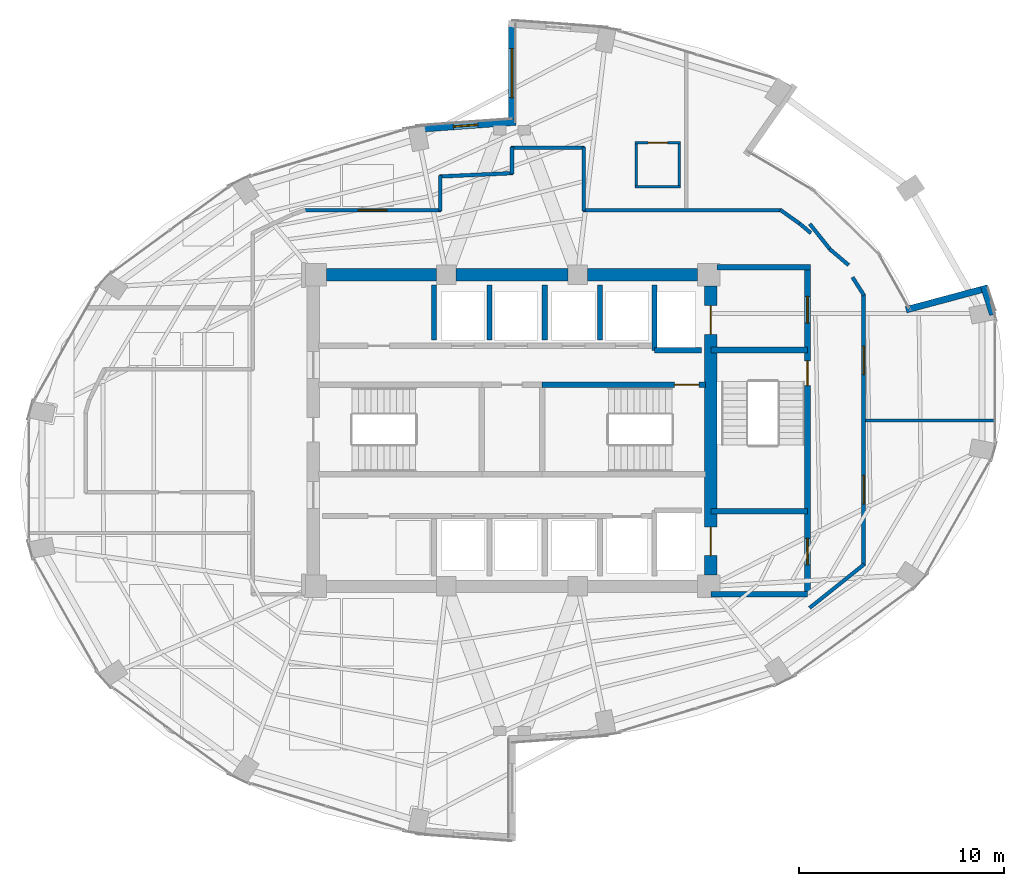
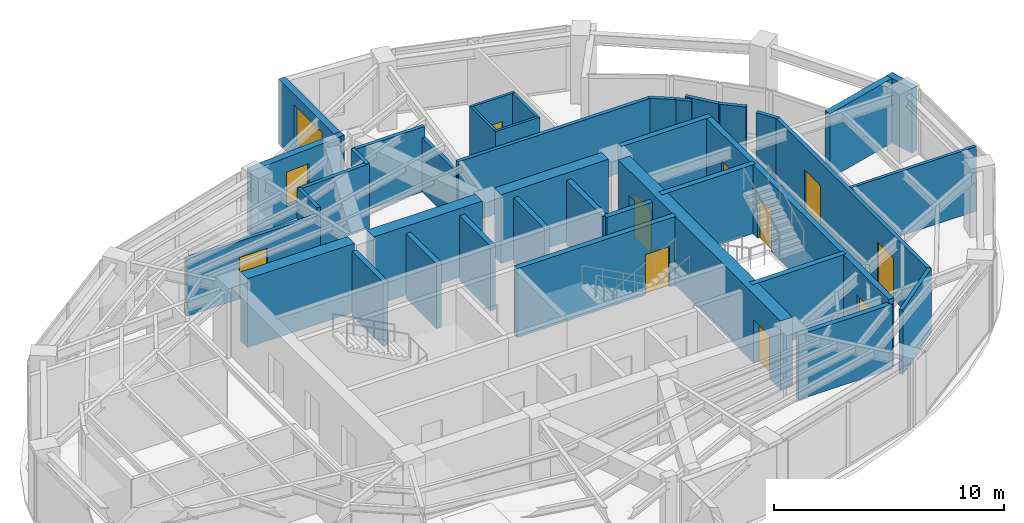
# One storey, part 16 of 19: 39 walls, 10 doors, 2 windows, 12 openings.
"""IFC4 building model written with IfcOpenShell, lengths in metres."""

from ifc_helpers import new_model, si_unit, direction, frame, frame_2d, origin, place, context, subcontext, project, spatial, rectangle, extrude, material, layer, layer_set, type_object, element, fill, save


model = new_model("IFC4")

# Units and contexts
model_context = context("Model", 3, precision=1e-05, world=origin(), true_north=direction((0.0, 1.0)))
body_context = subcontext(model_context, "Body", "Model", "MODEL_VIEW")
ifc_project = project(units=[si_unit("LENGTHUNIT", "METRE"), si_unit("AREAUNIT", "SQUARE_METRE"), si_unit("VOLUMEUNIT", "CUBIC_METRE"), si_unit("PLANEANGLEUNIT", "RADIAN"), si_unit("MASSUNIT", "GRAM", prefix="KILO")], contexts=[model_context])

# Site, building, storey
site_placement = place(None, origin())
site = spatial("IfcSite", under=ifc_project, at=site_placement, CompositionType="ELEMENT")
building_placement = place(site_placement, origin())
building = spatial("IfcBuilding", under=site, at=building_placement, Name="Lazwardi Medical Tower", CompositionType="ELEMENT")
storey_placement = place(building_placement, frame((0.0, 0.0, 167.471923828125)))
storey = spatial("IfcBuildingStorey", under=building, at=storey_placement, Name="L43", CompositionType="ELEMENT", Elevation=167.471923828125)

# Wall, opening, door
ifc_material_1 = material(Name="Fire-rated gypsum board on steel stud", Category="steel")
ifc_layer_1 = layer(ifc_material_1, 0.179931640625)
ifc_layer_set_1 = layer_set([ifc_layer_1], Name="Fire-rated gypsum board on steel stud")
wall_type_1 = type_object("IfcWallType", Name="WL-COR-180", PredefinedType="PARTITIONING", material=ifc_layer_set_1)
wall_1_placement = place(storey_placement, frame((25.842529296875, 38.75, 0.0), z_axis=(0.0, 0.0, 1.0), x_axis=(1.0, 0.0, 0.0)))
wall_1 = element("IfcWall", 1, at=wall_1_placement, inside=storey, type_object=wall_type_1, Name="L43 Corridor partition 6", PredefinedType="PARTITIONING", context=body_context, shape_type="SweptSolid", body=[
    extrude(rectangle(XDim=6.697509765625, YDim=0.179931640625, at=frame_2d((3.3486328125, 0.0))), origin(), (0.0, 0.0, 1.0), 3.052978515625),
])
opening_1_placement = place(wall_1_placement, frame((2.648681640625, 0.0, 0.0)))
opening_1 = element("IfcOpeningElement", 2, at=opening_1_placement, cuts=wall_1, Name="Opening D-L43-011", PredefinedType="OPENING", context=body_context, shape_type="SweptSolid", body=[
    extrude(rectangle(XDim=1.39990234375, YDim=2.199951171875, at=frame_2d((0.699951171875, 1.10009765625))), frame((0.0, 0.099853515625, 0.0), z_axis=(0.0, -1.0, 0.0), x_axis=(1.0, 0.0, 0.0)), (0.0, 0.0, 1.0), 0.199951171875),
])
ifc_material_2 = material(Name="Anti-microbial laminate hospital leaf")
door_type_1 = type_object("IfcDoorType", Name="DR-BED-1400", OperationType="NOTDEFINED", PredefinedType="DOOR", material=ifc_material_2)
door_1_placement = place(opening_1_placement, origin())
door_1 = element("IfcDoor", 3, at=door_1_placement, inside=storey, type_object=door_type_1, Name="L43 Inpatient Ward Door 03", OperationType="SINGLE_SWING_RIGHT", OverallHeight=2.199951171875, OverallWidth=1.39990234375, PredefinedType="DOOR", context=body_context, shape_type="SweptSolid", body=[
    extrude(rectangle(XDim=1.39990234375, YDim=2.199951171875, at=frame_2d((0.699951171875, 1.10009765625))), frame((0.0, 0.02490234375, 0.0), z_axis=(0.0, -1.0, 0.0), x_axis=(1.0, 0.0, 0.0)), (0.0, 0.0, 1.0), 0.050048828125),
])
fill(opening_1, door_1)

# Walls
wall_2_placement = place(storey_placement, frame((32.5, 38.7099609375, 0.0), z_axis=(0.0, 0.0, 1.0), x_axis=(0.0, 1.0, 0.0)))
element("IfcWall", 4, at=wall_2_placement, inside=storey, type_object=wall_type_1, Name="L43 Corridor partition 7", PredefinedType="PARTITIONING", context=body_context, shape_type="SweptSolid", body=[
    extrude(rectangle(XDim=1.729248046875, YDim=0.179931640625, at=frame_2d((0.86474609375, 0.0))), origin(), (0.0, 0.0, 1.0), 3.427978515625),
])
wall_3_placement = place(storey_placement, frame((32.4599609375, 40.3974609375, 0.0), z_axis=(0.0, 0.0, 1.0), x_axis=(0.998948498694, 0.045846449783, 0.0)))
element("IfcWall", 5, at=wall_3_placement, inside=storey, type_object=wall_type_1, Name="L43 Corridor partition 8", PredefinedType="PARTITIONING", context=body_context, shape_type="SweptSolid", body=[
    extrude(rectangle(XDim=3.583740234375, YDim=0.179931640625, at=frame_2d((1.7919921875, 0.0))), origin(), (0.0, 0.0, 1.0), 3.427978515625),
])
wall_4_placement = place(storey_placement, frame((36.0, 40.52001953125, 0.0), z_axis=(0.0, 0.0, 1.0), x_axis=(0.0, 1.0, 0.0)))
element("IfcWall", 6, at=wall_4_placement, inside=storey, type_object=wall_type_1, Name="L43 Corridor partition 9", PredefinedType="PARTITIONING", context=body_context, shape_type="SweptSolid", body=[
    extrude(rectangle(XDim=1.320068359375, YDim=0.179931640625, at=frame_2d((0.66015625, 0.0))), origin(), (0.0, 0.0, 1.0), 3.427978515625),
])
wall_5_placement = place(storey_placement, frame((35.9599609375, 41.800048828125, 0.0), z_axis=(0.0, 0.0, 1.0), x_axis=(1.0, 0.0, 0.0)))
element("IfcWall", 7, at=wall_5_placement, inside=storey, type_object=wall_type_1, Name="L43 Corridor partition 10", PredefinedType="PARTITIONING", context=body_context, shape_type="SweptSolid", body=[
    extrude(rectangle(XDim=3.580078125, YDim=0.179931640625, at=frame_2d((1.7900390625, 0.0))), origin(), (0.0, 0.0, 1.0), 3.427978515625),
])
wall_6_placement = place(storey_placement, frame((39.5, 41.840087890625, 0.0), z_axis=(0.0, 0.0, 1.0), x_axis=(0.0, -1.0, 0.0)))
element("IfcWall", 8, at=wall_6_placement, inside=storey, type_object=wall_type_1, Name="L43 Corridor partition 11", PredefinedType="PARTITIONING", context=body_context, shape_type="SweptSolid", body=[
    extrude(rectangle(XDim=3.130126953125, YDim=0.179931640625, at=frame_2d((1.56494140625, 0.0))), origin(), (0.0, 0.0, 1.0), 2.863037109375),
])
wall_7_placement = place(storey_placement, frame((39.4599609375, 38.75, 0.0), z_axis=(0.0, 0.0, 1.0), x_axis=(1.0, 0.0, 0.0)))
element("IfcWall", 9, at=wall_7_placement, inside=storey, type_object=wall_type_1, Name="L43 Corridor partition 12", PredefinedType="PARTITIONING", context=body_context, shape_type="SweptSolid", body=[
    extrude(rectangle(XDim=9.696044921875, YDim=0.179931640625, at=frame_2d((4.84814453125, 0.0))), origin(), (0.0, 0.0, 1.0), 3.427978515625),
])
wall_8_placement = place(storey_placement, frame((49.08349609375, 38.773193359375, 0.0), z_axis=(0.0, 0.0, 1.0), x_axis=(0.815094383649, -0.579328184835, 0.0)))
element("IfcWall", 10, at=wall_8_placement, inside=storey, type_object=wall_type_1, Name="L43 Corridor partition 13", PredefinedType="PARTITIONING", context=body_context, shape_type="SweptSolid", body=[
    extrude(rectangle(XDim=1.234375, YDim=0.179931640625, at=frame_2d((0.6171875, 0.0))), origin(), (0.0, 0.0, 1.0), 3.427978515625),
])
wall_9_placement = place(storey_placement, frame((50.0263671875, 38.107177734375, 0.0), z_axis=(0.0, 0.0, 1.0), x_axis=(0.762519178552, -0.646965611405, 0.0)))
element("IfcWall", 11, at=wall_9_placement, inside=storey, type_object=wall_type_1, Name="L43 Corridor partition 14", PredefinedType="PARTITIONING", context=body_context, shape_type="SweptSolid", body=[
    extrude(rectangle(XDim=0.726806640625, YDim=0.179931640625, at=frame_2d((0.36328125, 0.0))), origin(), (0.0, 0.0, 1.0), 3.427978515625),
])
wall_10_placement = place(storey_placement, frame((50.52490234375, 38.084716796875, 0.0), z_axis=(0.0, 0.0, 1.0), x_axis=(0.624367263629, -0.781130923794, 0.0)))
element("IfcWall", 12, at=wall_10_placement, inside=storey, type_object=wall_type_1, Name="L43 Corridor partition 15", PredefinedType="PARTITIONING", context=body_context, shape_type="SweptSolid", body=[
    extrude(rectangle(XDim=1.63525390625, YDim=0.179931640625, at=frame_2d((0.817626953125, 0.0))), origin(), (0.0, 0.0, 1.0), 3.427978515625),
])
wall_11_placement = place(storey_placement, frame((51.490478515625, 36.864501953125, 0.0), z_axis=(0.0, 0.0, 1.0), x_axis=(0.762506147444, -0.646980969666, 0.0)))
element("IfcWall", 13, at=wall_11_placement, inside=storey, type_object=wall_type_1, Name="L43 Corridor partition 16", PredefinedType="PARTITIONING", context=body_context, shape_type="SweptSolid", body=[
    extrude(rectangle(XDim=1.221435546875, YDim=0.179931640625, at=frame_2d((0.61083984375, 0.0))), origin(), (0.0, 0.0, 1.0), 3.427978515625),
])
wall_12_placement = place(storey_placement, frame((52.609130859375, 35.484130859375, 0.0), z_axis=(0.0, 0.0, 1.0), x_axis=(0.536664379082, -0.843795795335, 0.0)))
element("IfcWall", 14, at=wall_12_placement, inside=storey, type_object=wall_type_1, Name="L43 Corridor partition 17", PredefinedType="PARTITIONING", context=body_context, shape_type="SweptSolid", body=[
    extrude(rectangle(XDim=1.047607421875, YDim=0.179931640625, at=frame_2d((0.52392578125, 0.0))), origin(), (0.0, 0.0, 1.0), 3.427978515625),
])

# Wall, openings, doors
wall_13_placement = place(storey_placement, frame((53.14990234375, 34.673828125, 0.0), z_axis=(0.0, 0.0, 1.0), x_axis=(0.0, -1.0, 0.0)))
wall_13 = element("IfcWall", 15, at=wall_13_placement, inside=storey, type_object=wall_type_1, Name="L43 Corridor partition 18", PredefinedType="PARTITIONING", context=body_context, shape_type="SweptSolid", body=[
    extrude(rectangle(XDim=13.258056640625, YDim=0.179931640625, at=frame_2d((6.62890625, 0.0))), origin(), (0.0, 0.0, 1.0), 3.427978515625),
])
opening_2_placement = place(wall_13_placement, frame((8.85693359375, 0.0, 0.0)))
opening_2 = element("IfcOpeningElement", 16, at=opening_2_placement, cuts=wall_13, Name="Opening D-L43-009", PredefinedType="OPENING", context=body_context, shape_type="SweptSolid", body=[
    extrude(rectangle(XDim=1.39990234375, YDim=2.199951171875, at=frame_2d((0.699951171875, 1.10009765625))), frame((0.0, 0.099853515625, 0.0), z_axis=(0.0, -1.0, 0.0), x_axis=(1.0, 0.0, 0.0)), (0.0, 0.0, 1.0), 0.199951171875),
])
opening_3_placement = place(wall_13_placement, frame((2.5458984375, 0.0, 0.0)))
opening_3 = element("IfcOpeningElement", 17, at=opening_3_placement, cuts=wall_13, Name="Opening D-L43-010", PredefinedType="OPENING", context=body_context, shape_type="SweptSolid", body=[
    extrude(rectangle(XDim=1.39990234375, YDim=2.199951171875, at=frame_2d((0.699951171875, 1.10009765625))), frame((0.0, 0.099853515625, 0.0), z_axis=(0.0, -1.0, 0.0), x_axis=(1.0, 0.0, 0.0)), (0.0, 0.0, 1.0), 0.199951171875),
])
door_2_placement = place(opening_2_placement, origin())
door_2 = element("IfcDoor", 18, at=door_2_placement, inside=storey, type_object=door_type_1, Name="L43 Sky Garden Lounge Door 01", OperationType="SINGLE_SWING_LEFT", OverallHeight=2.199951171875, OverallWidth=1.39990234375, PredefinedType="DOOR", context=body_context, shape_type="SweptSolid", body=[
    extrude(rectangle(XDim=1.39990234375, YDim=2.199951171875, at=frame_2d((0.699951171875, 1.10009765625))), frame((0.0, 0.02490234375, 0.0), z_axis=(0.0, -1.0, 0.0), x_axis=(1.0, 0.0, 0.0)), (0.0, 0.0, 1.0), 0.050048828125),
])
fill(opening_2, door_2)
door_3_placement = place(opening_3_placement, origin())
door_3 = element("IfcDoor", 19, at=door_3_placement, inside=storey, type_object=door_type_1, Name="L43 Patient Day Lounge Door 02", OperationType="SINGLE_SWING_RIGHT", OverallHeight=2.199951171875, OverallWidth=1.39990234375, PredefinedType="DOOR", context=body_context, shape_type="SweptSolid", body=[
    extrude(rectangle(XDim=1.39990234375, YDim=2.199951171875, at=frame_2d((0.699951171875, 1.10009765625))), frame((0.0, 0.02490234375, 0.0), z_axis=(0.0, -1.0, 0.0), x_axis=(1.0, 0.0, 0.0)), (0.0, 0.0, 1.0), 0.050048828125),
])
fill(opening_3, door_3)

# Wall
wall_14_placement = place(storey_placement, frame((53.181396484375, 21.480712890625, 0.0), z_axis=(0.0, 0.0, 1.0), x_axis=(-0.781420737726, -0.624004511724, 0.0)))
element("IfcWall", 20, at=wall_14_placement, inside=storey, type_object=wall_type_1, Name="L43 Corridor partition 19", PredefinedType="PARTITIONING", context=body_context, shape_type="SweptSolid", body=[
    extrude(rectangle(XDim=3.407470703125, YDim=0.179931640625, at=frame_2d((1.70361328125, 0.0))), origin(), (0.0, 0.0, 1.0), 3.427978515625),
])

# Wall, openings, doors
ifc_material_3 = material(Name="Concrete C60/75", Category="concrete")
ifc_layer_2 = layer(ifc_material_3, 0.60009765625)
ifc_layer_set_2 = layer_set([ifc_layer_2], Name="Concrete C60/75")
wall_type_2 = type_object("IfcWallType", Name="WL-CORE-600", PredefinedType="SHEAR", material=ifc_layer_set_2)
wall_15_placement = place(storey_placement, frame((45.699951171875, 20.949951171875, 0.0), z_axis=(0.0, 0.0, 1.0), x_axis=(0.0, 1.0, 0.0)))
wall_15 = element("IfcWall", 21, at=wall_15_placement, inside=storey, type_object=wall_type_2, Name="Core wall CW-S3 east L43", PredefinedType="SHEAR", context=body_context, shape_type="SweptSolid", body=[
    extrude(rectangle(XDim=14.10009765625, YDim=0.60009765625, at=frame_2d((7.050048828125, 0.0))), origin(), (0.0, 0.0, 1.0), 3.648193359375),
])
opening_4_placement = place(wall_15_placement, frame((11.75, 0.0, 0.0)))
opening_4 = element("IfcOpeningElement", 22, at=opening_4_placement, cuts=wall_15, Name="Opening LD-L43-001", PredefinedType="OPENING", context=body_context, shape_type="SweptSolid", body=[
    extrude(rectangle(XDim=1.39990234375, YDim=2.300048828125, at=frame_2d((0.699951171875, 1.14990234375))), frame((0.0, 0.31005859375, 0.0), z_axis=(0.0, -1.0, 0.0), x_axis=(1.0, 0.0, 0.0)), (0.0, 0.0, 1.0), 0.6201171875),
])
opening_5_placement = place(wall_15_placement, frame((0.949951171875, 0.0, 0.0)))
opening_5 = element("IfcOpeningElement", 23, at=opening_5_placement, cuts=wall_15, Name="Opening LD-L43-002", PredefinedType="OPENING", context=body_context, shape_type="SweptSolid", body=[
    extrude(rectangle(XDim=1.39990234375, YDim=2.300048828125, at=frame_2d((0.699951171875, 1.14990234375))), frame((0.0, 0.31005859375, 0.0), z_axis=(0.0, -1.0, 0.0), x_axis=(1.0, 0.0, 0.0)), (0.0, 0.0, 1.0), 0.6201171875),
])
ifc_material_4 = material(Name="Brushed stainless steel bed-lift landing door", Category="steel")
door_type_2 = type_object("IfcDoorType", Name="DR-LFT-1400", OperationType="NOTDEFINED", PredefinedType="DOOR", material=ifc_material_4)
door_4_placement = place(opening_4_placement, origin())
door_4 = element("IfcDoor", 24, at=door_4_placement, inside=storey, type_object=door_type_2, Name="L43 Lift Landing Door FL-01", OperationType="SLIDING_TO_LEFT", OverallHeight=2.300048828125, OverallWidth=1.39990234375, PredefinedType="DOOR", context=body_context, shape_type="SweptSolid", body=[
    extrude(rectangle(XDim=1.39990234375, YDim=2.300048828125, at=frame_2d((0.699951171875, 1.14990234375))), frame((0.0, 0.02490234375, 0.0), z_axis=(0.0, -1.0, 0.0), x_axis=(1.0, 0.0, 0.0)), (0.0, 0.0, 1.0), 0.050048828125),
])
fill(opening_4, door_4)
door_5_placement = place(opening_5_placement, origin())
door_5 = element("IfcDoor", 25, at=door_5_placement, inside=storey, type_object=door_type_2, Name="L43 Lift Landing Door FL-02", OperationType="SLIDING_TO_LEFT", OverallHeight=2.300048828125, OverallWidth=1.39990234375, PredefinedType="DOOR", context=body_context, shape_type="SweptSolid", body=[
    extrude(rectangle(XDim=1.39990234375, YDim=2.300048828125, at=frame_2d((0.699951171875, 1.14990234375))), frame((0.0, 0.02490234375, 0.0), z_axis=(0.0, -1.0, 0.0), x_axis=(1.0, 0.0, 0.0)), (0.0, 0.0, 1.0), 0.050048828125),
])
fill(opening_5, door_5)

# Walls
wall_16_placement = place(storey_placement, frame((26.949951171875, 35.60009765625, 0.0), z_axis=(0.0, 0.0, 1.0), x_axis=(1.0, 0.0, 0.0)))
element("IfcWall", 26, at=wall_16_placement, inside=storey, type_object=wall_type_2, Name="Core wall CW-S3 N1 L43", PredefinedType="SHEAR", context=body_context, shape_type="SweptSolid", body=[
    extrude(rectangle(XDim=5.375, YDim=0.60009765625, at=frame_2d((2.6875, 0.0))), origin(), (0.0, 0.0, 1.0), 3.648193359375),
])
wall_17_placement = place(storey_placement, frame((33.27490234375, 35.60009765625, 0.0), z_axis=(0.0, 0.0, 1.0), x_axis=(1.0, 0.0, 0.0)))
element("IfcWall", 27, at=wall_17_placement, inside=storey, type_object=wall_type_2, Name="Core wall CW-S3 N2 L43", PredefinedType="SHEAR", context=body_context, shape_type="SweptSolid", body=[
    extrude(rectangle(XDim=5.4501953125, YDim=0.60009765625, at=frame_2d((2.72509765625, 0.0))), origin(), (0.0, 0.0, 1.0), 3.648193359375),
])
wall_18_placement = place(storey_placement, frame((39.675048828125, 35.60009765625, 0.0), z_axis=(0.0, 0.0, 1.0), x_axis=(1.0, 0.0, 0.0)))
element("IfcWall", 28, at=wall_18_placement, inside=storey, type_object=wall_type_2, Name="Core wall CW-S3 N3 L43", PredefinedType="SHEAR", context=body_context, shape_type="SweptSolid", body=[
    extrude(rectangle(XDim=5.375, YDim=0.60009765625, at=frame_2d((2.6875, 0.0))), origin(), (0.0, 0.0, 1.0), 3.648193359375),
])

# Wall, opening, door
ifc_material_5 = material(Name="Moisture-resistant gypsum board partition")
ifc_layer_3 = layer(ifc_material_5, 0.125)
ifc_layer_set_3 = layer_set([ifc_layer_3], Name="Moisture-resistant gypsum board partition")
wall_type_3 = type_object("IfcWallType", Name="WL-ENS-125", PredefinedType="PARTITIONING", material=ifc_layer_set_3)
wall_19_placement = place(storey_placement, frame((42.0048828125, 42.050048828125, 0.0), z_axis=(0.0, 0.0, 1.0), x_axis=(1.0, 0.0, 0.0)))
wall_19 = element("IfcWall", 29, at=wall_19_placement, inside=storey, type_object=wall_type_3, Name="L43 En-suite wall 3N", PredefinedType="PARTITIONING", context=body_context, shape_type="SweptSolid", body=[
    extrude(rectangle(XDim=2.22021484375, YDim=0.125, at=frame_2d((1.110107421875, 0.0))), origin(), (0.0, 0.0, 1.0), 3.427978515625),
])
opening_6_placement = place(wall_19_placement, frame((0.635009765625, 0.0, 0.0)))
opening_6 = element("IfcOpeningElement", 30, at=opening_6_placement, cuts=wall_19, Name="Opening D-L43-002", PredefinedType="OPENING", context=body_context, shape_type="SweptSolid", body=[
    extrude(rectangle(XDim=0.949951171875, YDim=2.10009765625, at=frame_2d((0.47509765625, 1.050048828125))), frame((0.0, 0.072509765625, 0.0), z_axis=(0.0, -1.0, 0.0), x_axis=(1.0, 0.0, 0.0)), (0.0, 0.0, 1.0), 0.14501953125),
])
ifc_material_6 = material(Name="Moisture-resistant laminate door leaf")
door_type_3 = type_object("IfcDoorType", Name="DR-ENS-950", OperationType="NOTDEFINED", PredefinedType="DOOR", material=ifc_material_6)
door_6_placement = place(opening_6_placement, origin())
door_6 = element("IfcDoor", 31, at=door_6_placement, inside=storey, type_object=door_type_3, Name="L43 En-suite Door 03", OperationType="SINGLE_SWING_LEFT", OverallHeight=2.10009765625, OverallWidth=0.949951171875, PredefinedType="DOOR", context=body_context, shape_type="SweptSolid", body=[
    extrude(rectangle(XDim=0.949951171875, YDim=2.10009765625, at=frame_2d((0.47509765625, 1.050048828125))), frame((0.0, 0.02490234375, 0.0), z_axis=(0.0, -1.0, 0.0), x_axis=(1.0, 0.0, 0.0)), (0.0, 0.0, 1.0), 0.050048828125),
])
fill(opening_6, door_6)

# Walls
wall_20_placement = place(storey_placement, frame((42.0048828125, 39.889892578125, 0.0), z_axis=(0.0, 0.0, 1.0), x_axis=(1.0, 0.0, 0.0)))
element("IfcWall", 32, at=wall_20_placement, inside=storey, type_object=wall_type_3, Name="L43 En-suite wall 3S", PredefinedType="PARTITIONING", context=body_context, shape_type="SweptSolid", body=[
    extrude(rectangle(XDim=2.22021484375, YDim=0.125, at=frame_2d((1.110107421875, 0.0))), origin(), (0.0, 0.0, 1.0), 3.427978515625),
])
for number, where, z_axis, x_axis, name in (
    (33, (44.1650390625, 39.830078125, 0.0), (0.0, 0.0, 1.0), (0.0, 1.0, 0.0), "L43 En-suite wall 3E"),
    (34, (42.06494140625, 39.830078125, 0.0), (0.0, 0.0, 1.0), (0.0, 1.0, 0.0), "L43 En-suite wall 3W"),
):
    element("IfcWall", number, at=place(storey_placement, frame(where, z_axis=z_axis, x_axis=x_axis)), inside=storey, type_object=wall_type_3, Name=name, PredefinedType="PARTITIONING", context=body_context, shape_type="SweptSolid", body=[
        extrude(rectangle(XDim=2.280029296875, YDim=0.125, at=frame_2d((1.14013671875, 0.0))), origin(), (0.0, 0.0, 1.0), 3.427978515625),
    ])

# Wall, opening, window
ifc_material_7 = material(Name="Precast concrete C45/55", Category="concrete")
ifc_layer_4 = layer(ifc_material_7, 0.320068359375)
ifc_layer_set_4 = layer_set([ifc_layer_4], Name="Precast concrete C45/55")
wall_type_4 = type_object("IfcWallType", Name="WL-IWAN-320", PredefinedType="SOLIDWALL", material=ifc_layer_set_4)
wall_21_placement = place(storey_placement, frame((36.17919921875, 43.052978515625, 0.0), z_axis=(0.0, 0.0, 1.0), x_axis=(-0.997415202861, -0.071853413984, 0.0)))
wall_21 = element("IfcWall", 35, at=wall_21_placement, inside=storey, type_object=wall_type_4, Name="L43 Iwan Portal Return Wall NW_ret", PredefinedType="SOLIDWALL", context=body_context, shape_type="SweptSolid", body=[
    extrude(rectangle(XDim=4.892822265625, YDim=0.320068359375, at=frame_2d((2.4462890625, 0.0))), origin(), (0.0, 0.0, 1.0), 3.427978515625),
])
opening_7_placement = place(wall_21_placement, frame((1.84619140625, 0.0, 0.85009765625)))
opening_7 = element("IfcOpeningElement", 36, at=opening_7_placement, cuts=wall_21, Name="Opening WN-04", PredefinedType="OPENING", context=body_context, shape_type="SweptSolid", body=[
    extrude(rectangle(XDim=1.199951171875, YDim=1.800048828125, at=frame_2d((0.60009765625, 0.89990234375))), frame((0.0, 0.169921875, 0.0), z_axis=(0.0, -1.0, 0.0), x_axis=(1.0, 0.0, 0.0)), (0.0, 0.0, 1.0), 0.340087890625),
])
ifc_material_8 = material(Name="Low-e bronze solar control double glazing", Category="glass")
window_type_1 = type_object("IfcWindowType", Name="WIN-DRUM-1200", PartitioningType="SINGLE_PANEL", PredefinedType="WINDOW", material=ifc_material_8)
window_1_placement = place(opening_7_placement, origin())
window_1 = element("IfcWindow", 37, at=window_1_placement, inside=storey, type_object=window_type_1, Name="L43 Iwan Slot Window NW_ret", OverallHeight=1.800048828125, OverallWidth=1.199951171875, PartitioningType="SINGLE_PANEL", PredefinedType="WINDOW", context=body_context, shape_type="SweptSolid", body=[
    extrude(rectangle(XDim=1.199951171875, YDim=1.800048828125, at=frame_2d((0.60009765625, 0.89990234375))), frame((0.0, 0.030029296875, 0.0), z_axis=(0.0, -1.0, 0.0), x_axis=(1.0, 0.0, 0.0)), (0.0, 0.0, 1.0), 0.06005859375),
])
fill(opening_7, window_1)

wall_22_placement = place(storey_placement, frame((36.0, 48.0, 0.0), z_axis=(0.0, 0.0, 1.0), x_axis=(0.0, -1.0, 0.0)))
wall_22 = element("IfcWall", 38, at=wall_22_placement, inside=storey, type_object=wall_type_4, Name="L43 Turquoise Tilework Iwan Seam Wall N_seam", PredefinedType="SOLIDWALL", context=body_context, shape_type="SweptSolid", body=[
    extrude(rectangle(XDim=5.1201171875, YDim=0.320068359375, at=frame_2d((2.56005859375, 0.0))), origin(), (0.0, 0.0, 1.0), 3.427978515625),
])
opening_8_placement = place(wall_22_placement, frame((1.360107421875, 0.0, 0.840087890625)))
opening_8 = element("IfcOpeningElement", 39, at=opening_8_placement, cuts=wall_22, Name="Opening WN-02", PredefinedType="OPENING", context=body_context, shape_type="SweptSolid", body=[
    extrude(rectangle(XDim=2.39990234375, YDim=2.0400390625, at=frame_2d((1.199951171875, 1.02001953125))), frame((0.0, 0.169921875, 0.0), z_axis=(0.0, -1.0, 0.0), x_axis=(1.0, 0.0, 0.0)), (0.0, 0.0, 1.0), 0.340087890625),
])
window_type_2 = type_object("IfcWindowType", Name="WIN-IW-2400", PartitioningType="SINGLE_PANEL", PredefinedType="WINDOW", material=ifc_material_8)
window_2_placement = place(opening_8_placement, origin())
window_2 = element("IfcWindow", 40, at=window_2_placement, inside=storey, type_object=window_type_2, Name="L43 Iwan Seam Window N_seam", OverallHeight=2.0400390625, OverallWidth=2.39990234375, PartitioningType="SINGLE_PANEL", PredefinedType="WINDOW", context=body_context, shape_type="SweptSolid", body=[
    extrude(rectangle(XDim=2.39990234375, YDim=2.0400390625, at=frame_2d((1.199951171875, 1.02001953125))), frame((0.0, 0.030029296875, 0.0), z_axis=(0.0, -1.0, 0.0), x_axis=(1.0, 0.0, 0.0)), (0.0, 0.0, 1.0), 0.06005859375),
])
fill(opening_8, window_2)

# Walls
wall_23_placement = place(storey_placement, frame((59.220947265625, 34.965576171875, 0.0), z_axis=(0.0, 0.0, 1.0), x_axis=(-0.965925940868, -0.258818617489, 0.0)))
element("IfcWall", 41, at=wall_23_placement, inside=storey, type_object=wall_type_4, Name="L43 Sky Garden SG3 Flank Wall S0", PredefinedType="SOLIDWALL", context=body_context, shape_type="SweptSolid", body=[
    extrude(rectangle(XDim=4.14013671875, YDim=0.320068359375, at=frame_2d((2.070068359375, 0.0))), origin(), (0.0, 0.0, 1.0), 3.427978515625),
])
wall_24_placement = place(storey_placement, frame((59.4501953125, 33.65380859375, 0.0), z_axis=(0.0, 0.0, 1.0), x_axis=(-0.303745470451, 0.952753215256, 0.0)))
element("IfcWall", 42, at=wall_24_placement, inside=storey, type_object=wall_type_4, Name="L43 Sky Garden SG3 Jamb Return Wall", PredefinedType="SOLIDWALL", context=body_context, shape_type="SweptSolid", body=[
    extrude(rectangle(XDim=1.48779296875, YDim=0.320068359375, at=frame_2d((0.743896484375, 0.0))), origin(), (0.0, 0.0, 1.0), 3.427978515625),
])
ifc_material_9 = material(Name="Autoclaved aerated concrete blockwork", Category="masonry")
ifc_layer_5 = layer(ifc_material_9, 0.25)
ifc_layer_set_5 = layer_set([ifc_layer_5], Name="Autoclaved aerated concrete blockwork")
wall_type_5 = type_object("IfcWallType", Name="WL-SHAFT-250", PredefinedType="SOLIDWALL", material=ifc_layer_set_5)
wall_25_placement = place(storey_placement, frame((42.949951171875, 31.919921875, 0.0), z_axis=(0.0, 0.0, 1.0), x_axis=(0.0, 1.0, 0.0)))
element("IfcWall", 43, at=wall_25_placement, inside=storey, type_object=wall_type_5, Name="L43 FL-01 West shaft wall", PredefinedType="SOLIDWALL", context=body_context, shape_type="SweptSolid", body=[
    extrude(rectangle(XDim=3.18017578125, YDim=0.25, at=frame_2d((1.590087890625, 0.0))), origin(), (0.0, 0.0, 1.0), 3.427978515625),
])
wall_26_placement = place(storey_placement, frame((42.949951171875, 31.919921875, 0.0), z_axis=(0.0, 0.0, 1.0), x_axis=(1.0, 0.0, 0.0)))
element("IfcWall", 44, at=wall_26_placement, inside=storey, type_object=wall_type_5, Name="L43 FL-01 South shaft wall", PredefinedType="SOLIDWALL", context=body_context, shape_type="SweptSolid", body=[
    extrude(rectangle(XDim=2.300048828125, YDim=0.25, at=frame_2d((1.14990234375, 0.0))), origin(), (0.0, 0.0, 1.0), 3.427978515625),
])
for number, where, z_axis, x_axis, name in (
    (45, (32.199951171875, 32.419921875, 0.0), (0.0, 0.0, 1.0), (0.0, 1.0, 0.0), "L43 North hoistway divider"),
    (46, (34.89990234375, 32.419921875, 0.0), (0.0, 0.0, 1.0), (0.0, 1.0, 0.0), "L43 North hoistway divider"),
    (47, (37.60009765625, 32.419921875, 0.0), (0.0, 0.0, 1.0), (0.0, 1.0, 0.0), "L43 North hoistway divider"),
    (48, (40.300048828125, 32.419921875, 0.0), (0.0, 0.0, 1.0), (0.0, 1.0, 0.0), "L43 North hoistway divider"),
):
    element("IfcWall", number, at=place(storey_placement, frame(where, z_axis=z_axis, x_axis=x_axis)), inside=storey, type_object=wall_type_5, Name=name, PredefinedType="SOLIDWALL", context=body_context, shape_type="SweptSolid", body=[
        extrude(rectangle(XDim=2.68017578125, YDim=0.25, at=frame_2d((1.340087890625, 0.0))), origin(), (0.0, 0.0, 1.0), 3.427978515625),
    ])
wall_27_placement = place(storey_placement, frame((45.699951171875, 20.02001953125, 0.0), z_axis=(0.0, 0.0, 1.0), x_axis=(1.0, 0.0, 0.0)))
element("IfcWall", 49, at=wall_27_placement, inside=storey, type_object=wall_type_5, Name="L43 FFL-S South wall", PredefinedType="SOLIDWALL", context=body_context, shape_type="SweptSolid", body=[
    extrude(rectangle(XDim=4.715087890625, YDim=0.25, at=frame_2d((2.357421875, 0.0))), origin(), (0.0, 0.0, 1.0), 3.427978515625),
])

# Wall, opening, door
ifc_material_10 = material(Name="Concrete C50/60", Category="concrete")
ifc_layer_6 = layer(ifc_material_10, 0.27001953125)
ifc_layer_set_6 = layer_set([ifc_layer_6], Name="Concrete C50/60")
wall_type_6 = type_object("IfcWallType", Name="WL-STR-250", PredefinedType="SHEAR", material=ifc_layer_set_6)
wall_28_placement = place(storey_placement, frame((37.465087890625, 30.235107421875, 0.0), z_axis=(0.0, 0.0, 1.0), x_axis=(1.0, 0.0, 0.0)))
wall_28 = element("IfcWall", 50, at=wall_28_placement, inside=storey, type_object=wall_type_6, Name="L43 ST2 North shear shaft wall SW-S1", PredefinedType="SHEAR", context=body_context, shape_type="SweptSolid", body=[
    extrude(rectangle(XDim=7.98486328125, YDim=0.27001953125, at=frame_2d((3.992431640625, 0.0))), origin(), (0.0, 0.0, 1.0), 3.648193359375),
])
opening_9_placement = place(wall_28_placement, frame((6.455078125, 0.0, 0.0)))
opening_9 = element("IfcOpeningElement", 51, at=opening_9_placement, cuts=wall_28, Name="Opening D-L43-014", PredefinedType="OPENING", context=body_context, shape_type="SweptSolid", body=[
    extrude(rectangle(XDim=1.199951171875, YDim=2.14990234375, at=frame_2d((0.60009765625, 1.074951171875))), frame((0.0, 0.14501953125, 0.0), z_axis=(0.0, -1.0, 0.0), x_axis=(1.0, 0.0, 0.0)), (0.0, 0.0, 1.0), 0.2900390625),
])
ifc_material_11 = material(Name="Fire-rated steel leaf and frame", Category="steel")
door_type_4 = type_object("IfcDoorType", Name="DR-STR-1200", OperationType="NOTDEFINED", PredefinedType="DOOR", material=ifc_material_11)
door_7_placement = place(opening_9_placement, origin())
door_7 = element("IfcDoor", 52, at=door_7_placement, inside=storey, type_object=door_type_4, Name="L43 Exit Stair ST2 Door", OperationType="SINGLE_SWING_RIGHT", OverallHeight=2.14990234375, OverallWidth=1.199951171875, PredefinedType="DOOR", context=body_context, shape_type="SweptSolid", body=[
    extrude(rectangle(XDim=1.199951171875, YDim=2.14990234375, at=frame_2d((0.60009765625, 1.074951171875))), frame((0.0, 0.02490234375, 0.0), z_axis=(0.0, -1.0, 0.0), x_axis=(1.0, 0.0, 0.0)), (0.0, 0.0, 1.0), 0.050048828125),
])
fill(opening_9, door_7)

# Wall, openings, doors
wall_29_placement = place(storey_placement, frame((50.4150390625, 35.844970703125, 0.0), z_axis=(0.0, 0.0, 1.0), x_axis=(0.0, -1.0, 0.0)))
wall_29 = element("IfcWall", 53, at=wall_29_placement, inside=storey, type_object=wall_type_6, Name="L43 East ST3 & FFL shear wall SW-S1", PredefinedType="SHEAR", context=body_context, shape_type="SweptSolid", body=[
    extrude(rectangle(XDim=15.824951171875, YDim=0.27001953125, at=frame_2d((7.91259765625, 0.0))), origin(), (0.0, 0.0, 1.0), 3.648193359375),
])
opening_10_placement = place(wall_29_placement, frame((4.445068359375, 0.0, 0.0)))
opening_10 = element("IfcOpeningElement", 54, at=opening_10_placement, cuts=wall_29, Name="Opening D-L43-015", PredefinedType="OPENING", context=body_context, shape_type="SweptSolid", body=[
    extrude(rectangle(XDim=1.199951171875, YDim=2.14990234375, at=frame_2d((0.60009765625, 1.074951171875))), frame((0.0, 0.14501953125, 0.0), z_axis=(0.0, -1.0, 0.0), x_axis=(1.0, 0.0, 0.0)), (0.0, 0.0, 1.0), 0.2900390625),
])
opening_11_placement = place(wall_29_placement, frame((1.294921875, 0.0, 0.0)))
opening_11 = element("IfcOpeningElement", 55, at=opening_11_placement, cuts=wall_29, Name="Opening D-L43-005", PredefinedType="OPENING", context=body_context, shape_type="SweptSolid", body=[
    extrude(rectangle(XDim=1.300048828125, YDim=2.199951171875, at=frame_2d((0.64990234375, 1.10009765625))), frame((0.0, 0.14501953125, 0.0), z_axis=(0.0, -1.0, 0.0), x_axis=(1.0, 0.0, 0.0)), (0.0, 0.0, 1.0), 0.2900390625),
])
opening_12_placement = place(wall_29_placement, frame((13.094970703125, 0.0, 0.0)))
opening_12 = element("IfcOpeningElement", 56, at=opening_12_placement, cuts=wall_29, Name="Opening D-L43-006", PredefinedType="OPENING", context=body_context, shape_type="SweptSolid", body=[
    extrude(rectangle(XDim=1.300048828125, YDim=2.199951171875, at=frame_2d((0.64990234375, 1.10009765625))), frame((0.0, 0.14501953125, 0.0), z_axis=(0.0, -1.0, 0.0), x_axis=(1.0, 0.0, 0.0)), (0.0, 0.0, 1.0), 0.2900390625),
])
door_type_5 = type_object("IfcDoorType", Name="DR-FFL-1300", OperationType="NOTDEFINED", PredefinedType="DOOR", material=ifc_material_11)
door_8_placement = place(opening_11_placement, origin())
door_8 = element("IfcDoor", 57, at=door_8_placement, inside=storey, type_object=door_type_5, Name="L43 Fire-Fighting Lobby North Door", OperationType="SINGLE_SWING_LEFT", OverallHeight=2.199951171875, OverallWidth=1.300048828125, PredefinedType="DOOR", context=body_context, shape_type="SweptSolid", body=[
    extrude(rectangle(XDim=1.300048828125, YDim=2.199951171875, at=frame_2d((0.64990234375, 1.10009765625))), frame((0.0, 0.02490234375, 0.0), z_axis=(0.0, -1.0, 0.0), x_axis=(1.0, 0.0, 0.0)), (0.0, 0.0, 1.0), 0.050048828125),
])
fill(opening_11, door_8)
door_9_placement = place(opening_12_placement, origin())
door_9 = element("IfcDoor", 58, at=door_9_placement, inside=storey, type_object=door_type_5, Name="L43 Fire-Fighting Lobby South Door", OperationType="SINGLE_SWING_RIGHT", OverallHeight=2.199951171875, OverallWidth=1.300048828125, PredefinedType="DOOR", context=body_context, shape_type="SweptSolid", body=[
    extrude(rectangle(XDim=1.300048828125, YDim=2.199951171875, at=frame_2d((0.64990234375, 1.10009765625))), frame((0.0, 0.02490234375, 0.0), z_axis=(0.0, -1.0, 0.0), x_axis=(1.0, 0.0, 0.0)), (0.0, 0.0, 1.0), 0.050048828125),
])
fill(opening_12, door_9)
door_10_placement = place(opening_10_placement, origin())
door_10 = element("IfcDoor", 59, at=door_10_placement, inside=storey, type_object=door_type_4, Name="L43 Exit Stair ST3 Door", OperationType="SINGLE_SWING_RIGHT", OverallHeight=2.14990234375, OverallWidth=1.199951171875, PredefinedType="DOOR", context=body_context, shape_type="SweptSolid", body=[
    extrude(rectangle(XDim=1.199951171875, YDim=2.14990234375, at=frame_2d((0.60009765625, 1.074951171875))), frame((0.0, 0.02490234375, 0.0), z_axis=(0.0, -1.0, 0.0), x_axis=(1.0, 0.0, 0.0)), (0.0, 0.0, 1.0), 0.050048828125),
])
fill(opening_10, door_10)

# Walls
wall_30_placement = place(storey_placement, frame((46.0, 35.97998046875, 0.0), z_axis=(0.0, 0.0, 1.0), x_axis=(1.0, 0.0, 0.0)))
element("IfcWall", 60, at=wall_30_placement, inside=storey, type_object=wall_type_6, Name="L43 FFL-N North shear wall SW-S1", PredefinedType="SHEAR", context=body_context, shape_type="SweptSolid", body=[
    extrude(rectangle(XDim=4.550048828125, YDim=0.27001953125, at=frame_2d((2.27490234375, 0.0))), origin(), (0.0, 0.0, 1.0), 3.648193359375),
])
for number, where, z_axis, x_axis, name in (
    (61, (45.699951171875, 31.93505859375, 0.0), (0.0, 0.0, 1.0), (1.0, 0.0, 0.0), "L43 ST3 North shear shaft wall SW-S1"),
    (62, (45.699951171875, 24.06494140625, 0.0), (0.0, 0.0, 1.0), (1.0, 0.0, 0.0), "L43 ST3 South shear shaft wall SW-S1"),
):
    element("IfcWall", number, at=place(storey_placement, frame(where, z_axis=z_axis, x_axis=x_axis)), inside=storey, type_object=wall_type_6, Name=name, PredefinedType="SHEAR", context=body_context, shape_type="SweptSolid", body=[
        extrude(rectangle(XDim=4.715087890625, YDim=0.27001953125, at=frame_2d((2.357421875, 0.0))), origin(), (0.0, 0.0, 1.0), 3.648193359375),
    ])
ifc_material_12 = material(Name="Acoustic gypsum board partition")
ifc_layer_7 = layer(ifc_material_12, 0.14990234375)
ifc_layer_set_7 = layer_set([ifc_layer_7], Name="Acoustic gypsum board partition")
wall_type_7 = type_object("IfcWallType", Name="WL-WRD-150", PredefinedType="PARTITIONING", material=ifc_layer_set_7)
wall_31_placement = place(storey_placement, frame((53.239990234375, 28.5, 0.0), z_axis=(0.0, 0.0, 1.0), x_axis=(1.0, 0.0, 0.0)))
element("IfcWall", 63, at=wall_31_placement, inside=storey, type_object=wall_type_7, Name="L43 Room partition 3", PredefinedType="PARTITIONING", context=body_context, shape_type="SweptSolid", body=[
    extrude(rectangle(XDim=6.30712890625, YDim=0.14990234375, at=frame_2d((3.153564453125, 0.0))), origin(), (0.0, 0.0, 1.0), 3.427978515625),
])

save(model, "model.ifc")
